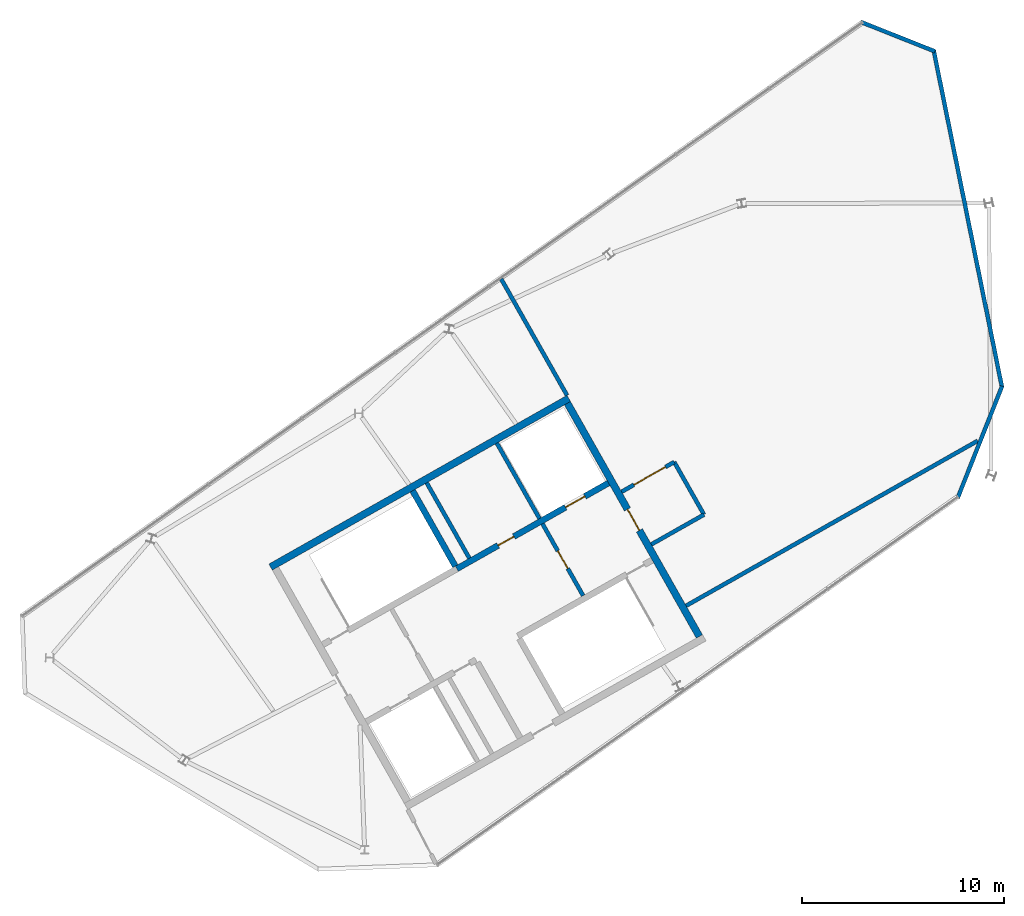
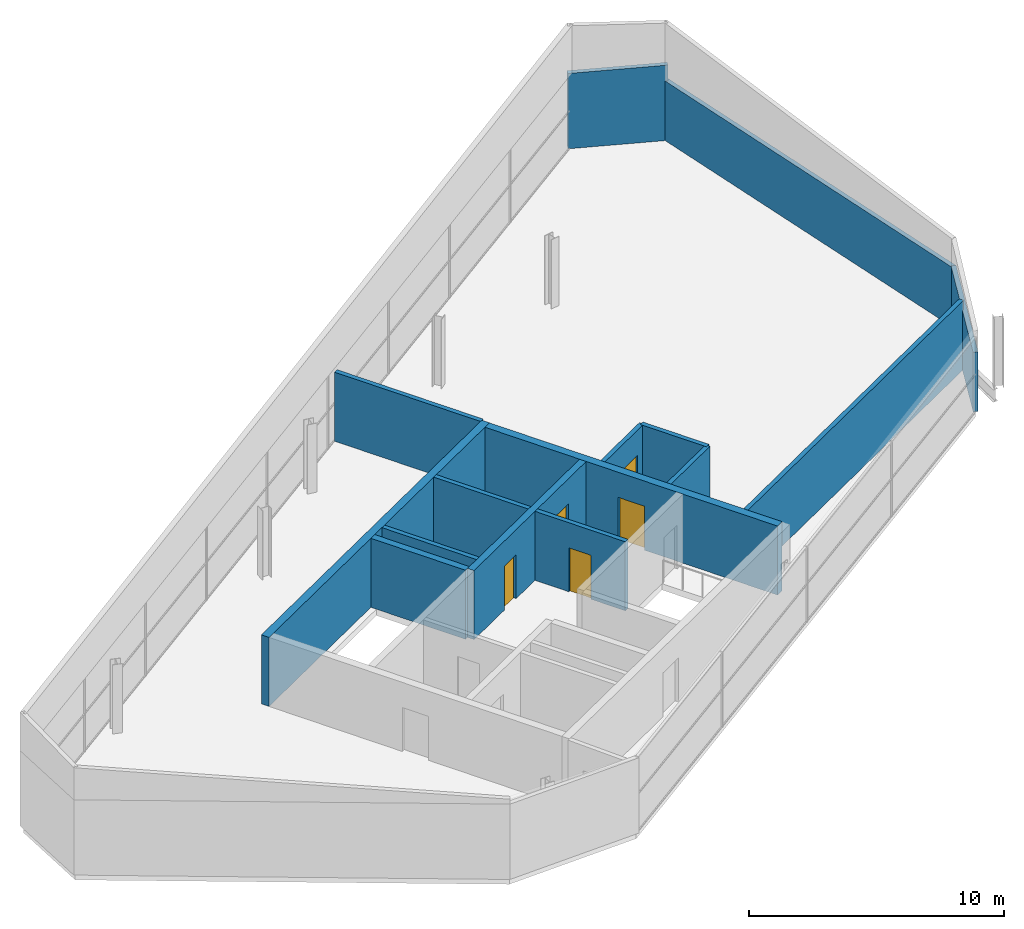
# One storey, part 9 of 10: 15 walls, 5 doors, 5 openings.
"""IFC4 building model written with IfcOpenShell, lengths in metres."""

from ifc_helpers import new_model, si_unit, direction, frame, frame_2d, origin, place, context, subcontext, project, spatial, rectangle, extrude, material, layer, layer_set, type_object, element, fill, save


model = new_model("IFC4")

# Units and contexts
model_context = context("Model", 3, precision=1e-05, world=origin(), true_north=direction((0.0, 1.0)))
body_context = subcontext(model_context, "Body", "Model", "MODEL_VIEW")
ifc_project = project(units=[si_unit("LENGTHUNIT", "METRE"), si_unit("AREAUNIT", "SQUARE_METRE"), si_unit("VOLUMEUNIT", "CUBIC_METRE"), si_unit("PLANEANGLEUNIT", "RADIAN"), si_unit("MASSUNIT", "GRAM", prefix="KILO")], contexts=[model_context])

# Site, building, storey
site_placement = place(None, origin())
site = spatial("IfcSite", under=ifc_project, at=site_placement, CompositionType="ELEMENT")
building_placement = place(site_placement, origin())
building = spatial("IfcBuilding", under=site, at=building_placement, Name="Binnacle Exchange Tower", CompositionType="ELEMENT")
storey_placement = place(building_placement, frame((0.0, 0.0, 368.5)))
storey = spatial("IfcBuildingStorey", under=building, at=storey_placement, Name="L85", CompositionType="ELEMENT", Elevation=368.5)

# Wall, openings, doors
ifc_material_1 = material(Name="Concrete C70/85", Category="concrete")
ifc_layer_1 = layer(ifc_material_1, 0.300048828125)
ifc_layer_set_1 = layer_set([ifc_layer_1], Name="Core wall - front 300")
wall_type_1 = type_object("IfcWallType", Name="Core wall - front 300", PredefinedType="SOLIDWALL", material=ifc_layer_set_1)
wall_1_placement = place(storey_placement, frame((-37.281982421875, 41.4345703125, 0.0), z_axis=(0.0, 0.0, 1.0), x_axis=(0.870364588774, 0.492407841741, 0.0)))
wall_1 = element("IfcWall", 1, at=wall_1_placement, inside=storey, type_object=wall_type_1, Name="Core wall CRWA5", PredefinedType="SOLIDWALL", context=body_context, shape_type="SweptSolid", body=[
    extrude(rectangle(XDim=8.64990234375, YDim=0.300048828125, at=frame_2d((4.324951171875, 0.0))), origin(), (0.0, 0.0, 1.0), 3.300048828125),
])
opening_1_placement = place(wall_1_placement, frame((6.199951171875, 0.0, 0.0)))
opening_1 = element("IfcOpeningElement", 2, at=opening_1_placement, cuts=wall_1, Name="Opening LD13", PredefinedType="OPENING", context=body_context, shape_type="SweptSolid", body=[
    extrude(rectangle(XDim=1.10009765625, YDim=2.10009765625, at=frame_2d((0.550048828125, 1.050048828125))), frame((0.0, 0.159912109375, 0.0), z_axis=(0.0, -1.0, 0.0), x_axis=(1.0, 0.0, 0.0)), (0.0, 0.0, 1.0), 0.320068359375),
])
opening_2_placement = place(wall_1_placement, frame((2.35009765625, 0.0, 0.0)))
opening_2 = element("IfcOpeningElement", 3, at=opening_2_placement, cuts=wall_1, Name="Opening DA10", PredefinedType="OPENING", context=body_context, shape_type="SweptSolid", body=[
    extrude(rectangle(XDim=0.89990234375, YDim=2.10009765625, at=frame_2d((0.449951171875, 1.050048828125))), frame((0.0, 0.159912109375, 0.0), z_axis=(0.0, -1.0, 0.0), x_axis=(1.0, 0.0, 0.0)), (0.0, 0.0, 1.0), 0.320068359375),
])
ifc_material_2 = material(Name="Steel door leaf", Category="steel")
door_type_1 = type_object("IfcDoorType", Name="Fire door - lift landing 1100", OperationType="NOTDEFINED", PredefinedType="DOOR", material=ifc_material_2)
door_1_placement = place(opening_1_placement, origin())
door_1 = element("IfcDoor", 4, at=door_1_placement, inside=storey, type_object=door_type_1, Name="Landing door LD13 L85", OperationType="DOUBLE_DOOR_SLIDING", OverallHeight=2.10009765625, OverallWidth=1.10009765625, PredefinedType="DOOR", context=body_context, shape_type="SweptSolid", body=[
    extrude(rectangle(XDim=1.10009765625, YDim=2.10009765625, at=frame_2d((0.550048828125, 1.050048828125))), frame((0.0, 0.02490234375, 0.0), z_axis=(0.0, -1.0, 0.0), x_axis=(1.0, 0.0, 0.0)), (0.0, 0.0, 1.0), 0.050048828125),
])
fill(opening_1, door_1)
door_type_2 = type_object("IfcDoorType", Name="Fire door 900", OperationType="NOTDEFINED", PredefinedType="DOOR", material=ifc_material_2)
door_2_placement = place(opening_2_placement, origin())
door_2 = element("IfcDoor", 5, at=door_2_placement, inside=storey, type_object=door_type_2, Name="Core room door TELECOM RISER ROOM", OperationType="SINGLE_SWING_LEFT", OverallHeight=2.10009765625, OverallWidth=0.89990234375, PredefinedType="DOOR", context=body_context, shape_type="SweptSolid", body=[
    extrude(rectangle(XDim=0.89990234375, YDim=2.10009765625, at=frame_2d((0.449951171875, 1.050048828125))), frame((0.0, 0.02490234375, 0.0), z_axis=(0.0, -1.0, 0.0), x_axis=(1.0, 0.0, 0.0)), (0.0, 0.0, 1.0), 0.050048828125),
])
fill(opening_2, door_2)

# Wall
ifc_layer_2 = layer(ifc_material_1, 0.35009765625)
ifc_layer_set_2 = layer_set([ifc_layer_2], Name="Core wall - outer 350")
wall_type_2 = type_object("IfcWallType", Name="Core wall - outer 350", PredefinedType="SOLIDWALL", material=ifc_layer_set_2)
wall_2_placement = place(storey_placement, frame((-46.5224609375, 41.5205078125, 0.0), z_axis=(0.0, 0.0, 1.0), x_axis=(0.870359753402, 0.492416388494, 0.0)))
element("IfcWall", 6, at=wall_2_placement, inside=storey, type_object=wall_type_2, Name="Core wall CRWA6", PredefinedType="SOLIDWALL", context=body_context, shape_type="SweptSolid", body=[
    extrude(rectangle(XDim=17.0, YDim=0.35009765625, at=frame_2d((8.5, 0.0))), origin(), (0.0, 0.0, 1.0), 3.300048828125),
])

# Wall, opening, door
wall_3_placement = place(storey_placement, frame((-31.79248046875, 49.6533203125, 0.0), z_axis=(0.0, 0.0, 1.0), x_axis=(0.492421943245, -0.870356610712, 0.0)))
wall_3 = element("IfcWall", 7, at=wall_3_placement, inside=storey, type_object=wall_type_2, Name="Core wall CRWA22", PredefinedType="SOLIDWALL", context=body_context, shape_type="SweptSolid", body=[
    extrude(rectangle(XDim=13.30029296875, YDim=0.35009765625, at=frame_2d((6.650146484375, 0.0))), origin(), (0.0, 0.0, 1.0), 3.300048828125),
])
opening_3_placement = place(wall_3_placement, frame((6.050048828125, 0.0, 0.0)))
opening_3 = element("IfcOpeningElement", 8, at=opening_3_placement, cuts=wall_3, Name="Opening DA6", PredefinedType="OPENING", context=body_context, shape_type="SweptSolid", body=[
    extrude(rectangle(XDim=1.199951171875, YDim=2.10009765625, at=frame_2d((0.60009765625, 1.050048828125))), frame((0.0, 0.18505859375, 0.0), z_axis=(0.0, -1.0, 0.0), x_axis=(1.0, 0.0, 0.0)), (0.0, 0.0, 1.0), 0.3701171875),
])
door_type_3 = type_object("IfcDoorType", Name="Fire door 1200", OperationType="NOTDEFINED", PredefinedType="DOOR", material=ifc_material_2)
door_3_placement = place(opening_3_placement, origin())
door_3 = element("IfcDoor", 9, at=door_3_placement, inside=storey, type_object=door_type_3, Name="Vestibule exit door VEST-E", OperationType="SINGLE_SWING_LEFT", OverallHeight=2.10009765625, OverallWidth=1.199951171875, PredefinedType="DOOR", context=body_context, shape_type="SweptSolid", body=[
    extrude(rectangle(XDim=1.199951171875, YDim=2.10009765625, at=frame_2d((0.60009765625, 1.050048828125))), frame((0.0, 0.02490234375, 0.0), z_axis=(0.0, -1.0, 0.0), x_axis=(1.0, 0.0, 0.0)), (0.0, 0.0, 1.0), 0.050048828125),
])
fill(opening_3, door_3)

# Walls
ifc_layer_3 = layer(ifc_material_1, 0.300048828125)
ifc_layer_set_3 = layer_set([ifc_layer_3], Name="Core wall - stair 300")
wall_type_3 = type_object("IfcWallType", Name="Core wall - stair 300", PredefinedType="SOLIDWALL", material=ifc_layer_set_3)
wall_4_placement = place(storey_placement, frame((-39.473388671875, 45.3076171875, 0.0), z_axis=(0.0, 0.0, 1.0), x_axis=(0.492410799949, -0.870362915164, 0.0)))
element("IfcWall", 10, at=wall_4_placement, inside=storey, type_object=wall_type_3, Name="Core wall CRWA14", PredefinedType="SOLIDWALL", context=body_context, shape_type="SweptSolid", body=[
    extrude(rectangle(XDim=4.300048828125, YDim=0.300048828125, at=frame_2d((2.14990234375, 0.0))), origin(), (0.0, 0.0, 1.0), 3.300048828125),
])
ifc_material_3 = material(Name="Bronze aluminium louvre", Category="aluminium")
ifc_layer_4 = layer(ifc_material_3, 0.199951171875)
ifc_layer_set_4 = layer_set([ifc_layer_4], Name="External wall - crown louvre 200")
wall_type_4 = type_object("IfcWallType", Name="External wall - crown louvre 200", PredefinedType="STANDARD", material=ifc_layer_set_4)
wall_5_placement = place(storey_placement, frame((-10.220458984375, 50.5009765625, 0.0), z_axis=(0.0, 0.0, 1.0), x_axis=(-0.369026712049, -0.929418789241, 0.0)))
element("IfcWall", 11, at=wall_5_placement, inside=storey, type_object=wall_type_4, Name="External wall EW-C300 L85", PredefinedType="STANDARD", context=body_context, shape_type="SweptSolid", body=[
    extrude(rectangle(XDim=5.968017578125, YDim=0.199951171875, at=frame_2d((2.98388671875, 0.0))), origin(), (0.0, 0.0, 1.0), 2.85009765625),
])
wall_6_placement = place(storey_placement, frame((-13.61962890625, 67.187744140625, 0.0), z_axis=(0.0, 0.0, 1.0), x_axis=(0.198668549131, -0.980066736292, 0.0)))
element("IfcWall", 12, at=wall_6_placement, inside=storey, type_object=wall_type_4, Name="External wall EW-C301 L85", PredefinedType="STANDARD", context=body_context, shape_type="SweptSolid", body=[
    extrude(rectangle(XDim=17.083984375, YDim=0.199951171875, at=frame_2d((8.5419921875, 0.0))), origin(), (0.0, 0.0, 1.0), 2.85009765625),
])
wall_7_placement = place(storey_placement, frame((-17.2412109375, 68.576904296875, 0.0), z_axis=(0.0, 0.0, 1.0), x_axis=(0.929408544005, -0.369052514325, 0.0)))
element("IfcWall", 13, at=wall_7_placement, inside=storey, type_object=wall_type_4, Name="External wall EW-C302 L85", PredefinedType="STANDARD", context=body_context, shape_type="SweptSolid", body=[
    extrude(rectangle(XDim=3.962646484375, YDim=0.199951171875, at=frame_2d((1.9814453125, 0.0))), origin(), (0.0, 0.0, 1.0), 3.60009765625),
])
ifc_material_4 = material(Name="Masonry block wall", Category="masonry")
ifc_layer_5 = layer(ifc_material_4, 0.199951171875)
ifc_layer_set_5 = layer_set([ifc_layer_5], Name="Fire wall - block 200")
wall_type_5 = type_object("IfcWallType", Name="Fire wall - block 200", PredefinedType="PARTITIONING", material=ifc_layer_set_5)
wall_8_placement = place(storey_placement, frame((-35.080078125, 55.819091796875, 0.0), z_axis=(0.0, 0.0, 1.0), x_axis=(0.49249727422, -0.870313986379, 0.0)))
element("IfcWall", 14, at=wall_8_placement, inside=storey, type_object=wall_type_5, Name="Partition W02", PredefinedType="PARTITIONING", context=body_context, shape_type="SweptSolid", body=[
    extrude(rectangle(XDim=6.6357421875, YDim=0.199951171875, at=frame_2d((3.31787109375, 0.0))), origin(), (0.0, 0.0, 1.0), 3.300048828125),
])

# Wall, opening, door
wall_9_placement = place(storey_placement, frame((-29.10400390625, 45.257080078125, 0.0), z_axis=(0.0, 0.0, 1.0), x_axis=(0.870423351516, 0.492303960105, 0.0)))
wall_9 = element("IfcWall", 15, at=wall_9_placement, inside=storey, type_object=wall_type_5, Name="Partition W03", PredefinedType="PARTITIONING", context=body_context, shape_type="SweptSolid", body=[
    extrude(rectangle(XDim=2.999755859375, YDim=0.199951171875, at=frame_2d((1.5, 0.0))), origin(), (0.0, 0.0, 1.0), 3.300048828125),
])
opening_4_placement = place(wall_9_placement, frame((0.699951171875, 0.0, 0.0)))
opening_4 = element("IfcOpeningElement", 16, at=opening_4_placement, cuts=wall_9, Name="Opening DL85-01", PredefinedType="OPENING", context=body_context, shape_type="SweptSolid", body=[
    extrude(rectangle(XDim=1.800048828125, YDim=2.10009765625, at=frame_2d((0.89990234375, 1.050048828125))), frame((0.0, 0.10986328125, 0.0), z_axis=(0.0, -1.0, 0.0), x_axis=(1.0, 0.0, 0.0)), (0.0, 0.0, 1.0), 0.219970703125),
])
door_type_4 = type_object("IfcDoorType", Name="Fire door 1800", OperationType="NOTDEFINED", PredefinedType="DOOR", material=ifc_material_2)
door_4_placement = place(opening_4_placement, origin())
door_4 = element("IfcDoor", 17, at=door_4_placement, inside=storey, type_object=door_type_4, Name="Door DL85-01", OperationType="DOUBLE_DOOR_SINGLE_SWING", OverallHeight=2.10009765625, OverallWidth=1.800048828125, PredefinedType="DOOR", context=body_context, shape_type="SweptSolid", body=[
    extrude(rectangle(XDim=1.800048828125, YDim=2.10009765625, at=frame_2d((0.89990234375, 1.050048828125))), frame((0.0, 0.02490234375, 0.0), z_axis=(0.0, -1.0, 0.0), x_axis=(1.0, 0.0, 0.0)), (0.0, 0.0, 1.0), 0.050048828125),
])
fill(opening_4, door_4)

# Walls
wall_10_placement = place(storey_placement, frame((-27.626953125, 42.64599609375, 0.0), z_axis=(0.0, 0.0, 1.0), x_axis=(0.870368744559, 0.492400496034, 0.0)))
element("IfcWall", 18, at=wall_10_placement, inside=storey, type_object=wall_type_5, Name="Partition W04", PredefinedType="PARTITIONING", context=body_context, shape_type="SweptSolid", body=[
    extrude(rectangle(XDim=2.999755859375, YDim=0.199951171875, at=frame_2d((1.5, 0.0))), origin(), (0.0, 0.0, 1.0), 3.300048828125),
])
wall_11_placement = place(storey_placement, frame((-26.492919921875, 46.73388671875, 0.0), z_axis=(0.0, 0.0, 1.0), x_axis=(0.492338837132, -0.870403624448, 0.0)))
element("IfcWall", 19, at=wall_11_placement, inside=storey, type_object=wall_type_5, Name="Partition W05", PredefinedType="PARTITIONING", context=body_context, shape_type="SweptSolid", body=[
    extrude(rectangle(XDim=2.99951171875, YDim=0.199951171875, at=frame_2d((1.499755859375, 0.0))), origin(), (0.0, 0.0, 1.0), 3.300048828125),
])
wall_12_placement = place(storey_placement, frame((-25.904052734375, 39.60009765625, 0.0), z_axis=(0.0, 0.0, 1.0), x_axis=(0.870362303086, 0.49241188183, 0.0)))
element("IfcWall", 20, at=wall_12_placement, inside=storey, type_object=wall_type_5, Name="Partition W06", PredefinedType="PARTITIONING", context=body_context, shape_type="SweptSolid", body=[
    extrude(rectangle(XDim=16.62646484375, YDim=0.199951171875, at=frame_2d((8.313232421875, 0.0))), origin(), (0.0, 0.0, 1.0), 3.300048828125),
])

# Wall, opening, door
ifc_layer_6 = layer(ifc_material_4, 0.199951171875)
ifc_layer_set_6 = layer_set([ifc_layer_6], Name="Fire wall - vestibule 200")
wall_type_6 = type_object("IfcWallType", Name="Fire wall - vestibule 200", PredefinedType="PARTITIONING", material=ifc_layer_set_6)
wall_13_placement = place(storey_placement, frame((-33.030517578125, 43.66748046875, 0.0), z_axis=(0.0, 0.0, 1.0), x_axis=(0.492408451753, -0.87036424366, 0.0)))
wall_13 = element("IfcWall", 21, at=wall_13_placement, inside=storey, type_object=wall_type_6, Name="Core wall CRWA19", PredefinedType="PARTITIONING", context=body_context, shape_type="SweptSolid", body=[
    extrude(rectangle(XDim=4.099853515625, YDim=0.199951171875, at=frame_2d((2.0498046875, 0.0))), origin(), (0.0, 0.0, 1.0), 3.300048828125),
])
opening_5_placement = place(wall_13_placement, frame((1.550048828125, 0.0, 0.0)))
opening_5 = element("IfcOpeningElement", 22, at=opening_5_placement, cuts=wall_13, Name="Opening DA4", PredefinedType="OPENING", context=body_context, shape_type="SweptSolid", body=[
    extrude(rectangle(XDim=1.0, YDim=2.10009765625, at=frame_2d((0.5, 1.050048828125))), frame((0.0, 0.10986328125, 0.0), z_axis=(0.0, -1.0, 0.0), x_axis=(1.0, 0.0, 0.0)), (0.0, 0.0, 1.0), 0.219970703125),
])
door_type_5 = type_object("IfcDoorType", Name="Fire door 1000", OperationType="NOTDEFINED", PredefinedType="DOOR", material=ifc_material_2)
door_5_placement = place(opening_5_placement, origin())
door_5 = element("IfcDoor", 23, at=door_5_placement, inside=storey, type_object=door_type_5, Name="Vestibule door VEST-E", OperationType="SINGLE_SWING_RIGHT", OverallHeight=2.10009765625, OverallWidth=1.0, PredefinedType="DOOR", context=body_context, shape_type="SweptSolid", body=[
    extrude(rectangle(XDim=1.0, YDim=2.10009765625, at=frame_2d((0.5, 1.050048828125))), frame((0.0, 0.02490234375, 0.0), z_axis=(0.0, -1.0, 0.0), x_axis=(1.0, 0.0, 0.0)), (0.0, 0.0, 1.0), 0.050048828125),
])
fill(opening_5, door_5)

# Walls
ifc_layer_7 = layer(ifc_material_4, 0.199951171875)
ifc_layer_set_7 = layer_set([ifc_layer_7], Name="Riser wall 200")
wall_type_7 = type_object("IfcWallType", Name="Riser wall 200", PredefinedType="SOLIDWALL", material=ifc_layer_set_7)
wall_14_placement = place(storey_placement, frame((-38.777099609375, 45.701416015625, 0.0), z_axis=(0.0, 0.0, 1.0), x_axis=(0.492435133428, -0.870349147967, 0.0)))
element("IfcWall", 24, at=wall_14_placement, inside=storey, type_object=wall_type_7, Name="Core wall CRWA15", PredefinedType="SOLIDWALL", context=body_context, shape_type="SweptSolid", body=[
    extrude(rectangle(XDim=4.2998046875, YDim=0.199951171875, at=frame_2d((2.14990234375, 0.0))), origin(), (0.0, 0.0, 1.0), 3.300048828125),
])
ifc_layer_8 = layer(ifc_material_4, 0.199951171875)
ifc_layer_set_8 = layer_set([ifc_layer_8], Name="Shaft wall 200")
wall_type_8 = type_object("IfcWallType", Name="Shaft wall 200", PredefinedType="SOLIDWALL", material=ifc_layer_set_8)
wall_15_placement = place(storey_placement, frame((-35.295654296875, 47.671142578125, 0.0), z_axis=(0.0, 0.0, 1.0), x_axis=(0.492435133428, -0.870349147967, 0.0)))
element("IfcWall", 25, at=wall_15_placement, inside=storey, type_object=wall_type_8, Name="Core wall CRWA21", PredefinedType="SOLIDWALL", context=body_context, shape_type="SweptSolid", body=[
    extrude(rectangle(XDim=4.2998046875, YDim=0.199951171875, at=frame_2d((2.14990234375, 0.0))), origin(), (0.0, 0.0, 1.0), 3.300048828125),
])

save(model, "model.ifc")
